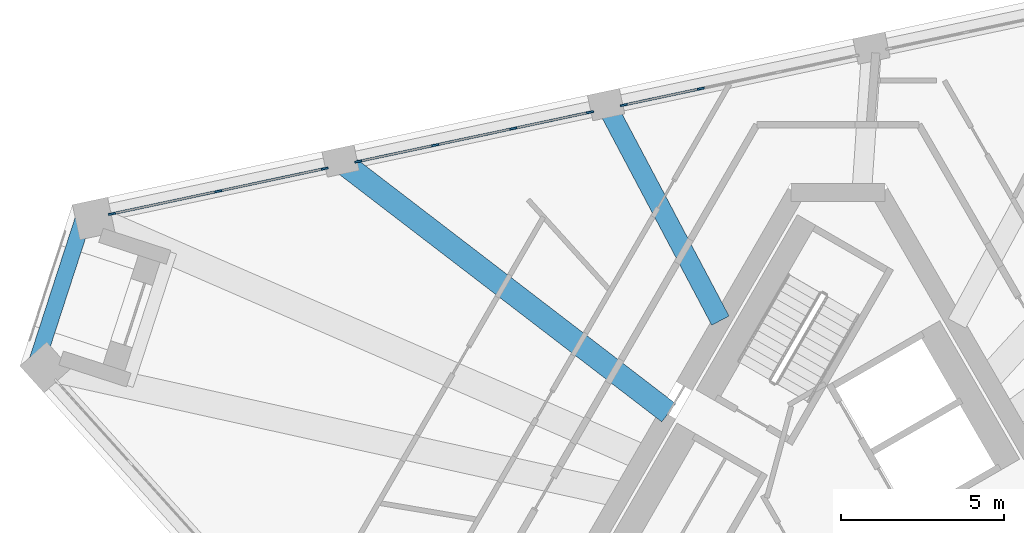
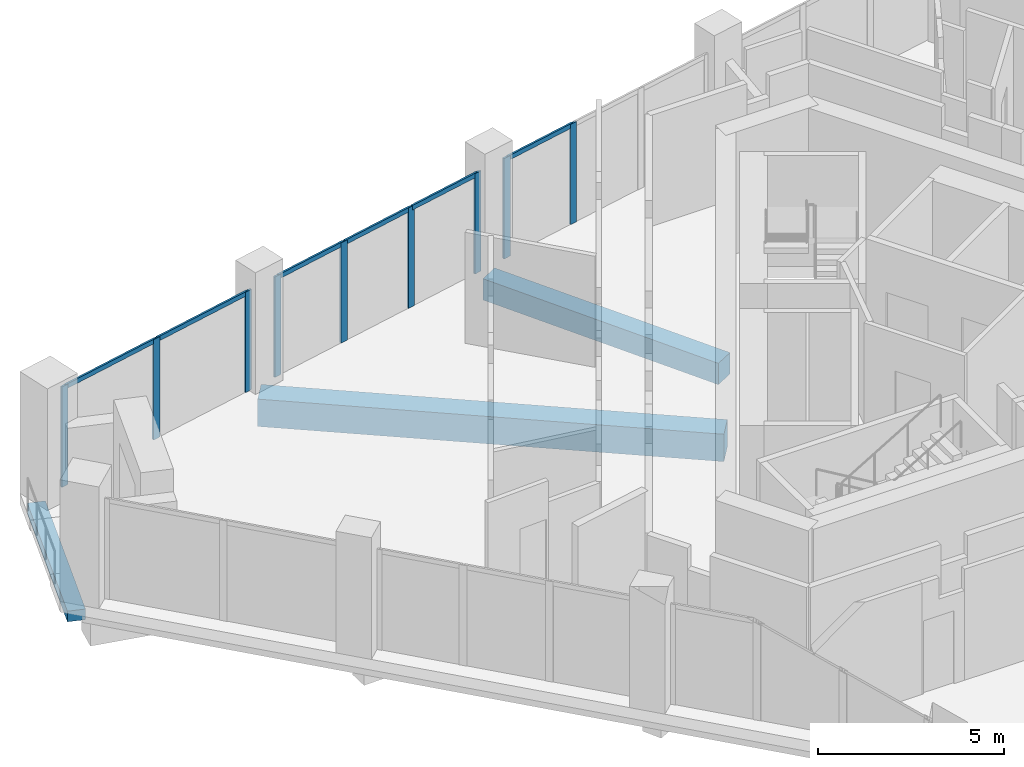
# One storey, part 6 of 17: 15 members, 3 beams, 3 elements without a shape of their own.
"""IFC4 building model written with IfcOpenShell, lengths in metres."""

from ifc_helpers import new_model, si_unit, direction, frame, origin, origin_2d, place, context, subcontext, project, spatial, rectangle, extrude, material, layer, layer_set, material_profile, profile_set, type_object, element, aggregate, save


model = new_model("IFC4")

# Units and contexts
model_context = context("Model", 3, precision=1e-05, world=origin(), true_north=direction((0.0, 1.0)))
body_context = subcontext(model_context, "Body", "Model", "MODEL_VIEW")
ifc_project = project(units=[si_unit("LENGTHUNIT", "METRE"), si_unit("AREAUNIT", "SQUARE_METRE"), si_unit("VOLUMEUNIT", "CUBIC_METRE"), si_unit("PLANEANGLEUNIT", "RADIAN"), si_unit("MASSUNIT", "GRAM", prefix="KILO")], contexts=[model_context])

# Site, building, storey
site_placement = place(None, origin())
site = spatial("IfcSite", under=ifc_project, at=site_placement, CompositionType="ELEMENT")
building_placement = place(site_placement, origin())
building = spatial("IfcBuilding", under=site, at=building_placement, Name="Tramontana Tower", CompositionType="ELEMENT")
storey_placement = place(building_placement, frame((0.0, 0.0, 348.39990234375)))
storey = spatial("IfcBuildingStorey", under=building, at=storey_placement, Name="L80", CompositionType="ELEMENT", Elevation=348.39990234375)

# Curtain wall, members
ifc_material_1 = material(Name="Aluminum extrusion", Category="aluminium")
ifc_layer = layer(ifc_material_1, 0.14990234375)
ifc_layer_set = layer_set([ifc_layer], Name="CW5 Top lounge curtain wall")
curtain_wall_type = type_object("IfcCurtainWallType", Name="CW5 Top lounge curtain wall", PredefinedType="NOTDEFINED", material=ifc_layer_set)
curtain_wall_1_placement = place(storey_placement, origin())
curtain_wall_1 = element("IfcCurtainWall", 1, at=curtain_wall_1_placement, inside=storey, type_object=curtain_wall_type, Name="CW5 curtain wall L80 face 2 bay 3", PredefinedType="NOTDEFINED")
ifc_material_2 = material(Name="Aluminum extrusion", Category="aluminium")
ifc_material_profile_1 = material_profile(ifc_material_2, rectangle(XDim=0.06005859375, YDim=0.219970703125, at=origin_2d()), Name="CW5-M Mullion 60 x 220")
ifc_profile_set_1 = profile_set([ifc_material_profile_1], Name="Aluminum extrusion")
member_type_1 = type_object("IfcMemberType", Name="CW5-M Mullion 60 x 220", PredefinedType="MULLION", material=ifc_profile_set_1)
member_1_placement = place(storey_placement, frame((-4.201904296875, 13.9052734375, 0.0), z_axis=(0.0, 0.0, 1.0), x_axis=(0.207911690818, -0.978147600734, 0.0)))
member_1 = element("IfcMember", 2, at=member_1_placement, type_object=member_type_1, Name="CW5 curtain wall L80 face 2 bay 3 mullion 3", PredefinedType="MULLION", context=body_context, shape_type="SweptSolid", body=[
    extrude(rectangle(XDim=0.06005859375, YDim=0.219970703125, at=origin_2d()), origin(), (0.0, 0.0, 1.0), 3.300048828125),
])
member_2_placement = place(storey_placement, frame((-6.55712890625, 13.404541015625, 0.0), z_axis=(0.0, 0.0, 1.0), x_axis=(0.207911690818, -0.978147600734, 0.0)))
member_2 = element("IfcMember", 3, at=member_2_placement, type_object=member_type_1, Name="CW5 curtain wall L80 face 2 bay 3 mullion 4", PredefinedType="MULLION", context=body_context, shape_type="SweptSolid", body=[
    extrude(rectangle(XDim=0.06005859375, YDim=0.219970703125, at=origin_2d()), origin(), (0.0, 0.0, 1.0), 3.300048828125),
])

curtain_wall_2_placement = place(storey_placement, origin())
curtain_wall_2 = element("IfcCurtainWall", 4, at=curtain_wall_2_placement, inside=storey, type_object=curtain_wall_type, Name="CW5 curtain wall L80 face 2 bay 4", PredefinedType="NOTDEFINED")
member_3_placement = place(storey_placement, frame((-7.593994140625, 13.184326171875, 0.0), z_axis=(0.0, 0.0, 1.0), x_axis=(0.207911690818, -0.978147600734, 0.0)))
member_3 = element("IfcMember", 5, at=member_3_placement, type_object=member_type_1, Name="CW5 curtain wall L80 face 2 bay 4 mullion 1", PredefinedType="MULLION", context=body_context, shape_type="SweptSolid", body=[
    extrude(rectangle(XDim=0.06005859375, YDim=0.219970703125, at=origin_2d()), origin(), (0.0, 0.0, 1.0), 3.300048828125),
])
member_4_placement = place(storey_placement, frame((-9.949462890625, 12.68359375, 0.0), z_axis=(0.0, 0.0, 1.0), x_axis=(0.207911690818, -0.978147600734, 0.0)))
member_4 = element("IfcMember", 6, at=member_4_placement, type_object=member_type_1, Name="CW5 curtain wall L80 face 2 bay 4 mullion 2", PredefinedType="MULLION", context=body_context, shape_type="SweptSolid", body=[
    extrude(rectangle(XDim=0.06005859375, YDim=0.219970703125, at=origin_2d()), origin(), (0.0, 0.0, 1.0), 3.300048828125),
])
member_5_placement = place(storey_placement, frame((-12.333984375, 12.1767578125, 0.0), z_axis=(0.0, 0.0, 1.0), x_axis=(0.207911690818, -0.978147600734, 0.0)))
member_5 = element("IfcMember", 7, at=member_5_placement, type_object=member_type_1, Name="CW5 curtain wall L80 face 2 bay 4 mullion 3", PredefinedType="MULLION", context=body_context, shape_type="SweptSolid", body=[
    extrude(rectangle(XDim=0.06005859375, YDim=0.219970703125, at=origin_2d()), origin(), (0.0, 0.0, 1.0), 3.300048828125),
])
member_6_placement = place(storey_placement, frame((-14.689453125, 11.676025390625, 0.0), z_axis=(0.0, 0.0, 1.0), x_axis=(0.207911690818, -0.978147600734, 0.0)))
member_6 = element("IfcMember", 8, at=member_6_placement, type_object=member_type_1, Name="CW5 curtain wall L80 face 2 bay 4 mullion 4", PredefinedType="MULLION", context=body_context, shape_type="SweptSolid", body=[
    extrude(rectangle(XDim=0.06005859375, YDim=0.219970703125, at=origin_2d()), origin(), (0.0, 0.0, 1.0), 3.300048828125),
])

curtain_wall_3_placement = place(storey_placement, origin())
curtain_wall_3 = element("IfcCurtainWall", 9, at=curtain_wall_3_placement, inside=storey, type_object=curtain_wall_type, Name="CW5 curtain wall L80 face 2 bay 5", PredefinedType="NOTDEFINED")
member_7_placement = place(storey_placement, frame((-15.72607421875, 11.45556640625, 0.0), z_axis=(0.0, 0.0, 1.0), x_axis=(0.207911690818, -0.978147600734, 0.0)))
member_7 = element("IfcMember", 10, at=member_7_placement, type_object=member_type_1, Name="CW5 curtain wall L80 face 2 bay 5 mullion 1", PredefinedType="MULLION", context=body_context, shape_type="SweptSolid", body=[
    extrude(rectangle(XDim=0.06005859375, YDim=0.219970703125, at=origin_2d()), origin(), (0.0, 0.0, 1.0), 3.300048828125),
])
member_8_placement = place(storey_placement, frame((-18.98046875, 10.763916015625, 0.0), z_axis=(0.0, 0.0, 1.0), x_axis=(0.207911690818, -0.978147600734, 0.0)))
member_8 = element("IfcMember", 11, at=member_8_placement, type_object=member_type_1, Name="CW5 curtain wall L80 face 2 bay 5 mullion 2", PredefinedType="MULLION", context=body_context, shape_type="SweptSolid", body=[
    extrude(rectangle(XDim=0.06005859375, YDim=0.219970703125, at=origin_2d()), origin(), (0.0, 0.0, 1.0), 3.300048828125),
])
member_9_placement = place(storey_placement, frame((-22.234619140625, 10.072265625, 0.0), z_axis=(0.0, 0.0, 1.0), x_axis=(0.207911690818, -0.978147600734, 0.0)))
member_9 = element("IfcMember", 12, at=member_9_placement, type_object=member_type_1, Name="CW5 curtain wall L80 face 2 bay 5 mullion 3", PredefinedType="MULLION", context=body_context, shape_type="SweptSolid", body=[
    extrude(rectangle(XDim=0.06005859375, YDim=0.219970703125, at=origin_2d()), origin(), (0.0, 0.0, 1.0), 3.300048828125),
])

# Member
ifc_material_3 = material(Name="Aluminum extrusion", Category="aluminium")
ifc_material_profile_2 = material_profile(ifc_material_3, rectangle(XDim=0.06005859375, YDim=0.14990234375, at=origin_2d()), Name="CW5-T Transom 60 x 150")
ifc_profile_set_2 = profile_set([ifc_material_profile_2], Name="Aluminum extrusion")
member_type_2 = type_object("IfcMemberType", Name="CW5-T Transom 60 x 150", PredefinedType="USERDEFINED", material=ifc_profile_set_2)
member_10_placement = place(storey_placement, frame((-4.231201171875, 13.89892578125, 3.239990234375), z_axis=(-0.978158586648, -0.207859999438, 0.0), x_axis=(0.207859999438, -0.978158586648, 0.0)))
member_10 = element("IfcMember", 13, at=member_10_placement, type_object=member_type_2, Name="CW5 curtain wall L80 face 2 bay 3 transom 3.1", ObjectType="TRANSOM", PredefinedType="USERDEFINED", context=body_context, shape_type="SweptSolid", body=[
    extrude(rectangle(XDim=0.06005859375, YDim=0.14990234375, at=origin_2d()), origin(), (0.0, 0.0, 1.0), 2.347900390625),
])

aggregate(curtain_wall_1, [member_1, member_2, member_10])

member_11_placement = place(storey_placement, frame((-7.623291015625, 13.177978515625, 3.239990234375), z_axis=(-0.978137440423, -0.207959485579, 0.0), x_axis=(0.207959485579, -0.978137440423, 0.0)))
member_11 = element("IfcMember", 14, at=member_11_placement, type_object=member_type_2, Name="CW5 curtain wall L80 face 2 bay 4 transom 1.1", ObjectType="TRANSOM", PredefinedType="USERDEFINED", context=body_context, shape_type="SweptSolid", body=[
    extrude(rectangle(XDim=0.06005859375, YDim=0.14990234375, at=origin_2d()), origin(), (0.0, 0.0, 1.0), 2.347900390625),
])

member_12_placement = place(storey_placement, frame((-9.978759765625, 12.67724609375, 3.239990234375), z_axis=(-0.978148151192, -0.207909101098, 0.0), x_axis=(0.207909101098, -0.978148151192, 0.0)))
member_12 = element("IfcMember", 15, at=member_12_placement, type_object=member_type_2, Name="CW5 curtain wall L80 face 2 bay 4 transom 2.1", ObjectType="TRANSOM", PredefinedType="USERDEFINED", context=body_context, shape_type="SweptSolid", body=[
    extrude(rectangle(XDim=0.06005859375, YDim=0.14990234375, at=origin_2d()), origin(), (0.0, 0.0, 1.0), 2.3779296875),
])

member_13_placement = place(storey_placement, frame((-12.36328125, 12.17041015625, 3.239990234375), z_axis=(-0.978158586648, -0.207859999438, 0.0), x_axis=(0.207859999438, -0.978158586648, 0.0)))
member_13 = element("IfcMember", 16, at=member_13_placement, type_object=member_type_2, Name="CW5 curtain wall L80 face 2 bay 4 transom 3.1", ObjectType="TRANSOM", PredefinedType="USERDEFINED", context=body_context, shape_type="SweptSolid", body=[
    extrude(rectangle(XDim=0.06005859375, YDim=0.14990234375, at=origin_2d()), origin(), (0.0, 0.0, 1.0), 2.347900390625),
])

aggregate(curtain_wall_2, [member_3, member_4, member_5, member_6, member_11, member_12, member_13])

member_14_placement = place(storey_placement, frame((-15.755615234375, 11.449462890625, 3.239990234375), z_axis=(-0.978149923447, -0.207900763009, 0.0), x_axis=(0.207900763009, -0.978149923447, 0.0)))
member_14 = element("IfcMember", 17, at=member_14_placement, type_object=member_type_2, Name="CW5 curtain wall L80 face 2 bay 5 transom 1.1", ObjectType="TRANSOM", PredefinedType="USERDEFINED", context=body_context, shape_type="SweptSolid", body=[
    extrude(rectangle(XDim=0.06005859375, YDim=0.14990234375, at=origin_2d()), origin(), (0.0, 0.0, 1.0), 3.266845703125),
])

member_15_placement = place(storey_placement, frame((-19.009765625, 10.7578125, 3.239990234375), z_axis=(-0.978149923447, -0.207900763009, 0.0), x_axis=(0.207900763009, -0.978149923447, 0.0)))
member_15 = element("IfcMember", 18, at=member_15_placement, type_object=member_type_2, Name="CW5 curtain wall L80 face 2 bay 5 transom 2.1", ObjectType="TRANSOM", PredefinedType="USERDEFINED", context=body_context, shape_type="SweptSolid", body=[
    extrude(rectangle(XDim=0.06005859375, YDim=0.14990234375, at=origin_2d()), origin(), (0.0, 0.0, 1.0), 3.266845703125),
])

aggregate(curtain_wall_3, [member_7, member_8, member_9, member_14, member_15])

# Beams
ifc_material_4 = material(Name="Concrete 40 MPa", Category="concrete")
ifc_material_profile_3 = material_profile(ifc_material_4, rectangle(XDim=0.5, YDim=0.35009765625, at=origin_2d()), Name="RC EDGE BEAM 500X350 40 MPa")
ifc_profile_set_3 = profile_set([ifc_material_profile_3], Name="Concrete 40 MPa")
beam_type_1 = type_object("IfcBeamType", Name="RC EDGE BEAM 500X350 40 MPa", PredefinedType="SPANDREL", material=ifc_profile_set_3)
beam_1_placement = place(storey_placement, frame((-23.02099609375, 10.2119140625, -0.52490234375), z_axis=(-0.309015953557, -0.951056854477, 0.0), x_axis=(0.951056854477, -0.309015953557, 0.0)))
element("IfcBeam", 19, at=beam_1_placement, inside=storey, type_object=beam_type_1, Name="Spandrel beam K0 L80", PredefinedType="SPANDREL", context=body_context, shape_type="SweptSolid", body=[
    extrude(rectangle(XDim=0.5, YDim=0.35009765625, at=origin_2d()), origin(), (0.0, 0.0, 1.0), 5.1962890625),
])
ifc_material_5 = material(Name="Concrete 40 MPa", Category="concrete")
ifc_material_profile_4 = material_profile(ifc_material_5, rectangle(XDim=0.60009765625, YDim=0.699951171875, at=origin_2d()), Name="RC GIRDER 600X700 40 MPa")
ifc_profile_set_4 = profile_set([ifc_material_profile_4], Name="Concrete 40 MPa")
beam_type_2 = type_object("IfcBeamType", Name="RC GIRDER 600X700 40 MPa", PredefinedType="BEAM", material=ifc_profile_set_4)
beam_2_placement = place(storey_placement, frame((-7.1015625, 13.416748046875, -0.699951171875), z_axis=(0.467808305742, -0.883829954843, 0.0), x_axis=(0.883829954843, 0.467808305742, 0.0)))
element("IfcBeam", 20, at=beam_2_placement, inside=storey, type_object=beam_type_2, Name="Radial girder C8F11 L80", PredefinedType="BEAM", context=body_context, shape_type="SweptSolid", body=[
    extrude(rectangle(XDim=0.60009765625, YDim=0.699951171875, at=origin_2d()), origin(), (0.0, 0.0, 1.0), 7.486328125),
])
ifc_material_6 = material(Name="Concrete 40 MPa", Category="concrete")
ifc_material_profile_5 = material_profile(ifc_material_6, rectangle(XDim=0.699951171875, YDim=0.89990234375, at=origin_2d()), Name="RC GIRDER 700X900 40 MPa")
ifc_profile_set_5 = profile_set([ifc_material_profile_5], Name="Concrete 40 MPa")
beam_type_3 = type_object("IfcBeamType", Name="RC GIRDER 700X900 40 MPa", PredefinedType="BEAM", material=ifc_profile_set_5)
beam_3_placement = place(storey_placement, frame((-15.23388671875, 11.68798828125, -0.7998046875), z_axis=(0.793386383047, -0.608718364431, 0.0), x_axis=(0.608718364431, 0.793386383047, 0.0)))
element("IfcBeam", 21, at=beam_3_placement, inside=storey, type_object=beam_type_3, Name="Radial girder C8F12 L80", PredefinedType="BEAM", context=body_context, shape_type="SweptSolid", body=[
    extrude(rectangle(XDim=0.699951171875, YDim=0.89990234375, at=origin_2d()), origin(), (0.0, 0.0, 1.0), 12.66796875),
])

save(model, "model.ifc")
